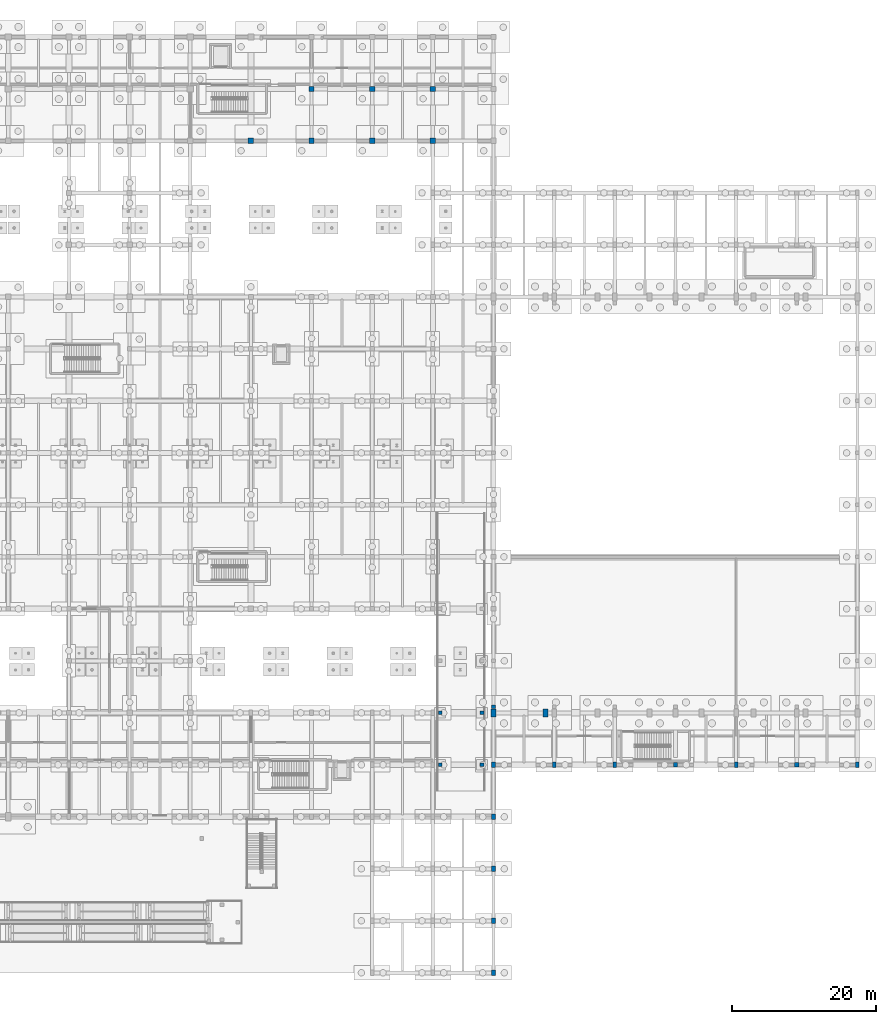
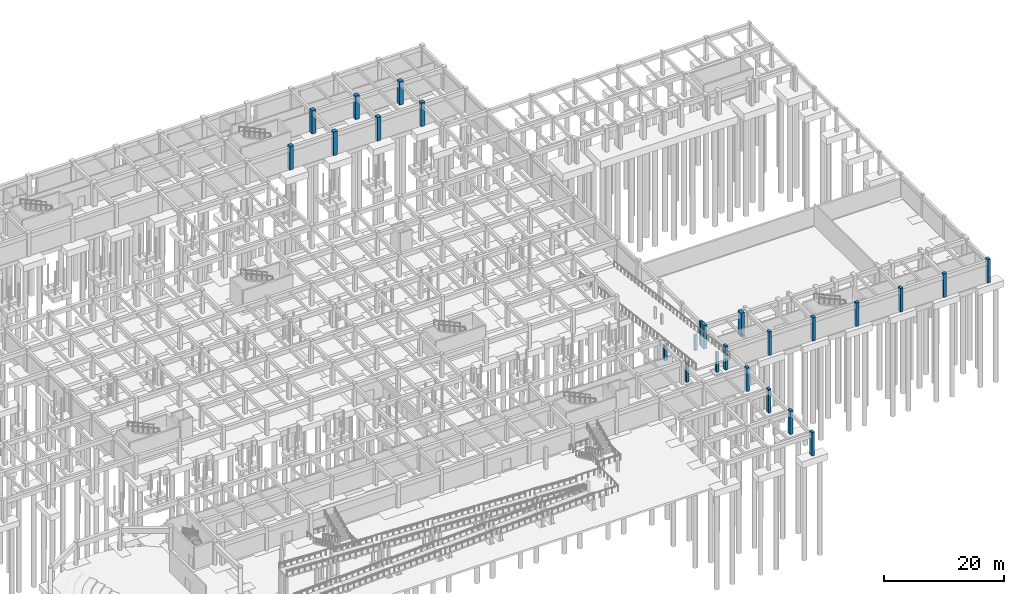
# One storey, part 42 of 80: 25 columns.
"""IFC4 building model written with IfcOpenShell, lengths in metres."""

from ifc_helpers import new_model, si_unit, direction, frame, origin, origin_2d, place, context, subcontext, project, spatial, rectangle, extrude, material, material_profile, profile_set, type_object, element, save


model = new_model("IFC4")

# Units and contexts
model_context = context("Model", 3, precision=1e-05, world=origin(), true_north=direction((0.0, 1.0)))
body_context = subcontext(model_context, "Body", "Model", "MODEL_VIEW")
ifc_project = project(units=[si_unit("LENGTHUNIT", "METRE"), si_unit("AREAUNIT", "SQUARE_METRE"), si_unit("VOLUMEUNIT", "CUBIC_METRE"), si_unit("PLANEANGLEUNIT", "RADIAN"), si_unit("MASSUNIT", "GRAM", prefix="KILO")], contexts=[model_context])

# Site, building, storey
site_placement = place(None, origin())
site = spatial("IfcSite", under=ifc_project, at=site_placement, CompositionType="ELEMENT")
building_placement = place(site_placement, origin())
building = spatial("IfcBuilding", under=site, at=building_placement, Name="Malvenik Polytechnic", CompositionType="ELEMENT")
storey_placement = place(building_placement, frame((0.0, 0.0, -4.800048828125)))
storey = spatial("IfcBuildingStorey", under=building, at=storey_placement, Name="B1", CompositionType="ELEMENT", Elevation=-4.800048828125)

# Columns
ifc_material_1 = material(Name="Concrete C40/50", Category="concrete")
ifc_material_profile_1 = material_profile(ifc_material_1, rectangle(XDim=0.75, YDim=0.75, at=origin_2d()), Name="RC COL 750x750")
ifc_profile_set_1 = profile_set([ifc_material_profile_1], Name="Concrete C40/50")
column_type_1 = type_object("IfcColumnType", Name="STR-COL-C-03", PredefinedType="COLUMN", material=ifc_profile_set_1)
for number, where, z_axis, x_axis, name in (
    (1, (100.800048828125, 115.199951171875, 0.0), (0.0, 0.0, 1.0), (1.0, 0.0, 0.0), "Column C-03 B1 (100.8,115.2)"),
    (2, (109.199951171875, 115.199951171875, 0.0), (0.0, 0.0, 1.0), (1.0, 0.0, 0.0), "Column C-03 B1 (109.2,115.2)"),
    (3, (109.199951171875, 122.39990234375, 0.0), (0.0, 0.0, 1.0), (1.0, 0.0, 0.0), "Column C-03 B1 (109.2,122.4)"),
    (4, (117.60009765625, 115.199951171875, 0.0), (0.0, 0.0, 1.0), (1.0, 0.0, 0.0), "Column C-03 B1 (117.6,115.2)"),
    (5, (117.60009765625, 122.39990234375, 0.0), (0.0, 0.0, 1.0), (1.0, 0.0, 0.0), "Column C-03 B1 (117.6,122.4)"),
    (6, (126.0, 115.199951171875, 0.0), (0.0, 0.0, 1.0), (1.0, 0.0, 0.0), "Column C-03 B1 (126.0,115.2)"),
    (7, (126.0, 122.39990234375, 0.0), (0.0, 0.0, 1.0), (1.0, 0.0, 0.0), "Column C-03 B1 (126.0,122.4)"),
):
    element("IfcColumn", number, at=place(storey_placement, frame(where, z_axis=z_axis, x_axis=x_axis)), inside=storey, type_object=column_type_1, Name=name, PredefinedType="COLUMN", context=body_context, shape_type="SweptSolid", body=[
        extrude(rectangle(XDim=0.75, YDim=0.75, at=origin_2d()), origin(), (0.0, 0.0, 1.0), 4.800048828125),
    ])
ifc_material_2 = material(Name="Concrete C35/45", Category="concrete")
ifc_material_profile_2 = material_profile(ifc_material_2, rectangle(XDim=0.60009765625, YDim=0.60009765625, at=origin_2d()), Name="RC COL 600x600")
ifc_profile_set_2 = profile_set([ifc_material_profile_2], Name="Concrete C35/45")
column_type_2 = type_object("IfcColumnType", Name="STR-COL-C-06", PredefinedType="COLUMN", material=ifc_profile_set_2)
for number, where, z_axis, x_axis, name in (
    (8, (159.60009765625, 28.800048828125, 0.0), (0.0, 0.0, 1.0), (1.0, 0.0, 0.0), "Column C-06 B1 (159.6,28.8)"),
    (9, (176.39990234375, 28.800048828125, 0.0), (0.0, 0.0, 1.0), (1.0, 0.0, 0.0), "Column C-06 B1 (176.4,28.8)"),
):
    element("IfcColumn", number, at=place(storey_placement, frame(where, z_axis=z_axis, x_axis=x_axis)), inside=storey, type_object=column_type_2, Name=name, PredefinedType="COLUMN", context=body_context, shape_type="SweptSolid", body=[
        extrude(rectangle(XDim=0.60009765625, YDim=0.60009765625, at=origin_2d()), origin(), (0.0, 0.0, 1.0), 4.800048828125),
    ])
ifc_material_profile_3 = material_profile(ifc_material_2, rectangle(XDim=0.5, YDim=0.5, at=origin_2d()), Name="RC COL 500x500")
ifc_profile_set_3 = profile_set([ifc_material_profile_3], Name="Concrete C35/45")
column_type_3 = type_object("IfcColumnType", Name="STR-COL-C-08", PredefinedType="COLUMN", material=ifc_profile_set_3)
for number, where, z_axis, x_axis, name in (
    (10, (127.0, 36.0, 0.0), (0.0, 0.0, 1.0), (1.0, 0.0, 0.0), "Vehicle Ramp Support Column (127.0,36.0)"),
    (11, (132.800048828125, 36.0, 0.0), (0.0, 0.0, 1.0), (1.0, 0.0, 0.0), "Vehicle Ramp Support Column (132.8,36.0)"),
):
    element("IfcColumn", number, at=place(storey_placement, frame(where, z_axis=z_axis, x_axis=x_axis)), inside=storey, type_object=column_type_3, Name=name, PredefinedType="COLUMN", context=body_context, shape_type="SweptSolid", body=[
        extrude(rectangle(XDim=0.5, YDim=0.5, at=origin_2d()), origin(), (0.0, 0.0, 1.0), 3.155029296875),
    ])
for number, where, z_axis, x_axis, name in (
    (12, (127.0, 28.800048828125, 0.0), (0.0, 0.0, 1.0), (1.0, 0.0, 0.0), "Vehicle Ramp Support Column (127.0,28.8)"),
    (13, (132.800048828125, 28.800048828125, 0.0), (0.0, 0.0, 1.0), (1.0, 0.0, 0.0), "Vehicle Ramp Support Column (132.8,28.8)"),
):
    element("IfcColumn", number, at=place(storey_placement, frame(where, z_axis=z_axis, x_axis=x_axis)), inside=storey, type_object=column_type_3, Name=name, PredefinedType="COLUMN", context=body_context, shape_type="SweptSolid", body=[
        extrude(rectangle(XDim=0.5, YDim=0.5, at=origin_2d()), origin(), (0.0, 0.0, 1.0), 4.054931640625),
    ])
column_placement = place(storey_placement, frame((134.39990234375, 36.85009765625, 0.0), z_axis=(0.0, 0.0, 1.0), x_axis=(1.0, 0.0, 0.0)))
element("IfcColumn", 14, at=column_placement, inside=storey, type_object=column_type_3, Name="Crane Pier Column B1 #1.1", PredefinedType="COLUMN", context=body_context, shape_type="SweptSolid", body=[
    extrude(rectangle(XDim=0.5, YDim=0.5, at=origin_2d()), origin(), (0.0, 0.0, 1.0), 4.800048828125),
])
ifc_material_profile_4 = material_profile(ifc_material_2, rectangle(XDim=0.64990234375, YDim=1.10009765625, at=origin_2d()), Name="RC COL 1100x650")
ifc_profile_set_4 = profile_set([ifc_material_profile_4], Name="Concrete C35/45")
column_type_4 = type_object("IfcColumnType", Name="STR-COL-C-12", PredefinedType="COLUMN", material=ifc_profile_set_4)
for number, where, z_axis, x_axis, name in (
    (15, (134.39990234375, 36.0, 0.0), (0.0, 0.0, 1.0), (1.0, 0.0, 0.0), "Column C-12 B1 (134.4,36.0)"),
    (16, (141.60009765625, 36.0, 0.0), (0.0, 0.0, 1.0), (1.0, 0.0, 0.0), "Column C-12 B1 (141.6,36.0)"),
):
    element("IfcColumn", number, at=place(storey_placement, frame(where, z_axis=z_axis, x_axis=x_axis)), inside=storey, type_object=column_type_4, Name=name, PredefinedType="COLUMN", context=body_context, shape_type="SweptSolid", body=[
        extrude(rectangle(XDim=0.64990234375, YDim=1.10009765625, at=origin_2d()), origin(), (0.0, 0.0, 1.0), 4.800048828125),
    ])
ifc_material_profile_5 = material_profile(ifc_material_2, rectangle(XDim=0.5, YDim=0.75, at=origin_2d()), Name="RC COL 750x500")
ifc_profile_set_5 = profile_set([ifc_material_profile_5], Name="Concrete C35/45")
column_type_5 = type_object("IfcColumnType", Name="STR-COL-C-14", PredefinedType="COLUMN", material=ifc_profile_set_5)
for number, where, z_axis, x_axis, name in (
    (17, (134.39990234375, 0.0, 0.0), (0.0, 0.0, 1.0), (1.0, 0.0, 0.0), "Column C-14 B1 (134.4,0.0)"),
    (18, (134.39990234375, 7.199951171875, 0.0), (0.0, 0.0, 1.0), (1.0, 0.0, 0.0), "Column C-14 B1 (134.4,7.2)"),
    (19, (134.39990234375, 14.39990234375, 0.0), (0.0, 0.0, 1.0), (1.0, 0.0, 0.0), "Column C-14 B1 (134.4,14.4)"),
    (20, (134.39990234375, 21.60009765625, 0.0), (0.0, 0.0, 1.0), (1.0, 0.0, 0.0), "Column C-14 B1 (134.4,21.6)"),
    (21, (134.39990234375, 28.800048828125, 0.0), (0.0, 0.0, 1.0), (1.0, 0.0, 0.0), "Column C-14 B1 (134.4,28.8)"),
    (22, (142.800048828125, 28.800048828125, 0.0), (0.0, 0.0, 1.0), (1.0, 0.0, 0.0), "Column C-14 B1 (142.8,28.8)"),
    (23, (151.199951171875, 28.800048828125, 0.0), (0.0, 0.0, 1.0), (1.0, 0.0, 0.0), "Column C-14 B1 (151.2,28.8)"),
    (24, (168.0, 28.800048828125, 0.0), (0.0, 0.0, 1.0), (1.0, 0.0, 0.0), "Column C-14 B1 (168.0,28.8)"),
    (25, (184.800048828125, 28.800048828125, 0.0), (0.0, 0.0, 1.0), (1.0, 0.0, 0.0), "Column C-14 B1 (184.8,28.8)"),
):
    element("IfcColumn", number, at=place(storey_placement, frame(where, z_axis=z_axis, x_axis=x_axis)), inside=storey, type_object=column_type_5, Name=name, PredefinedType="COLUMN", context=body_context, shape_type="SweptSolid", body=[
        extrude(rectangle(XDim=0.5, YDim=0.75, at=origin_2d()), origin(), (0.0, 0.0, 1.0), 4.800048828125),
    ])

save(model, "model.ifc")
